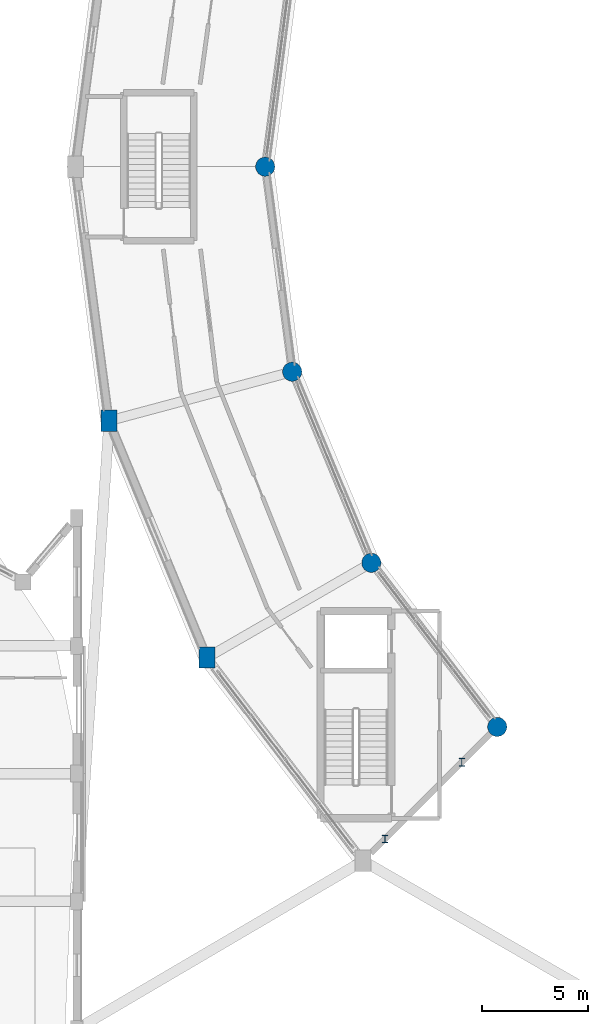
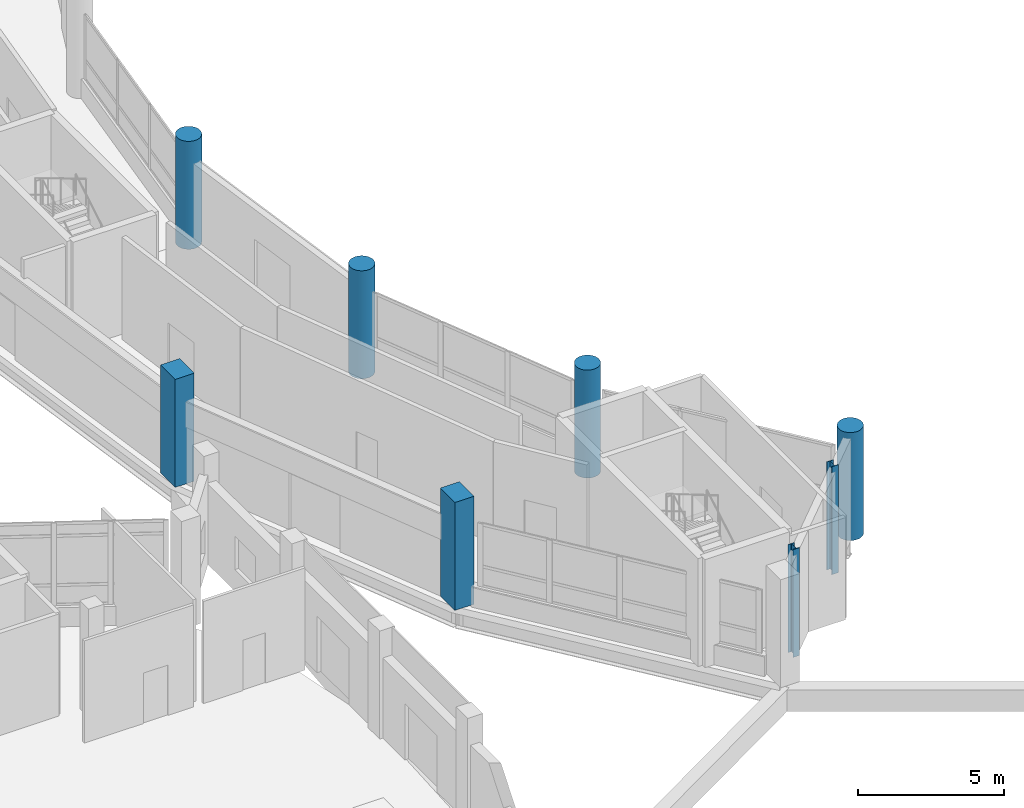
# One storey, part 4 of 129: 8 columns.
"""IFC4 building model written with IfcOpenShell, lengths in metres."""

from ifc_helpers import new_model, si_unit, direction, frame, origin, origin_2d, place, context, subcontext, project, spatial, rectangle, circle, i_section, extrude, material, material_profile, profile_set, type_object, element, save


model = new_model("IFC4")

# Units and contexts
model_context = context("Model", 3, precision=1e-05, world=origin(), true_north=direction((0.0, 1.0)))
body_context = subcontext(model_context, "Body", "Model", "MODEL_VIEW")
ifc_project = project(units=[si_unit("LENGTHUNIT", "METRE"), si_unit("AREAUNIT", "SQUARE_METRE"), si_unit("VOLUMEUNIT", "CUBIC_METRE"), si_unit("PLANEANGLEUNIT", "RADIAN"), si_unit("MASSUNIT", "GRAM", prefix="KILO")], contexts=[model_context])

# Site, building, storey
site_placement = place(None, origin())
site = spatial("IfcSite", under=ifc_project, at=site_placement, CompositionType="ELEMENT")
building_placement = place(site_placement, origin())
building = spatial("IfcBuilding", under=site, at=building_placement, Name="Vespera Passage Community Centre", CompositionType="ELEMENT")
storey_placement = place(building_placement, origin())
storey = spatial("IfcBuildingStorey", under=building, at=storey_placement, Name="L00", CompositionType="ELEMENT", Elevation=0.0)

# Columns
ifc_material_1 = material(Name="Concrete f'c 45 MPa", Category="concrete")
ifc_material_profile_1 = material_profile(ifc_material_1, rectangle(XDim=0.75, YDim=1.0, at=origin_2d()), Name="RC1000X750")
ifc_profile_set_1 = profile_set([ifc_material_profile_1], Name="Concrete f'c 45 MPa")
column_type_1 = type_object("IfcColumnType", Name="COL-RC1000X750E", PredefinedType="COLUMN", material=ifc_profile_set_1)
for number, where, z_axis, x_axis, name in (
    (1, (33.470703125, 53.568359375, 0.0), (0.0, 0.0, 1.0), (1.0, 0.0, 0.0), "L00 Column V4-O13"),
    (2, (38.076171875, 42.449951171875, 0.0), (0.0, 0.0, 1.0), (1.0, 0.0, 0.0), "L00 Column V4-O14"),
):
    element("IfcColumn", number, at=place(storey_placement, frame(where, z_axis=z_axis, x_axis=x_axis)), inside=storey, type_object=column_type_1, Name=name, PredefinedType="COLUMN", context=body_context, shape_type="SweptSolid", body=[
        extrude(rectangle(XDim=0.75, YDim=1.0, at=origin_2d()), origin(), (0.0, 0.0, 1.0), 4.5),
    ])
ifc_material_2 = material(Name="Concrete f'c 45 MPa", Category="concrete")
ifc_material_profile_2 = material_profile(ifc_material_2, circle(Radius=0.449951171875, at=origin_2d()), Name="RC900DIA")
ifc_profile_set_2 = profile_set([ifc_material_profile_2], Name="Concrete f'c 45 MPa")
column_type_2 = type_object("IfcColumnType", Name="COL-RC900DIAE", PredefinedType="COLUMN", material=ifc_profile_set_2)
for number, where, z_axis, x_axis, name in (
    (3, (40.800048828125, 65.5, 0.0), (0.0, 0.0, 1.0), (1.0, 0.0, 0.0), "L00 Column V4-I12"),
    (4, (42.067626953125, 55.871826171875, 0.0), (0.0, 0.0, 1.0), (1.0, 0.0, 0.0), "L00 Column V4-I13"),
    (5, (45.783935546875, 46.89990234375, 0.0), (0.0, 0.0, 1.0), (1.0, 0.0, 0.0), "L00 Column V4-I14"),
    (6, (51.695556640625, 39.195556640625, 0.0), (0.0, 0.0, 1.0), (1.0, 0.0, 0.0), "L00 Column V4-I15"),
):
    element("IfcColumn", number, at=place(storey_placement, frame(where, z_axis=z_axis, x_axis=x_axis)), inside=storey, type_object=column_type_2, Name=name, PredefinedType="COLUMN", context=body_context, shape_type="SweptSolid", body=[
        extrude(circle(Radius=0.449951171875, at=origin_2d()), origin(), (0.0, 0.0, 1.0), 4.5),
    ])
ifc_material_3 = material(Name="Steel ASTM A992 Grade 50", Category="steel")
ifc_material_profile_3 = material_profile(ifc_material_3, i_section(OverallWidth=0.2548828125, OverallDepth=0.356689453125, WebThickness=0.010498046875, FlangeThickness=0.018310546875, FilletRadius=0.01513671875, at=origin_2d()), Name="W14X68")
ifc_profile_set_3 = profile_set([ifc_material_profile_3], Name="Steel ASTM A992 Grade 50")
column_type_3 = type_object("IfcColumnType", Name="COL-W14X68I", PredefinedType="COLUMN", material=ifc_profile_set_3)
for number, where, z_axis, x_axis, name in (
    (7, (50.033935546875, 37.533935546875, 0.0), (0.0, 0.0, 1.0), (1.0, 0.0, 0.0), "L00 Column TRANC-I150"),
    (8, (46.427734375, 33.927734375, 0.0), (0.0, 0.0, 1.0), (1.0, 0.0, 0.0), "L00 Column TRANC-O150"),
):
    element("IfcColumn", number, at=place(storey_placement, frame(where, z_axis=z_axis, x_axis=x_axis)), inside=storey, type_object=column_type_3, Name=name, PredefinedType="COLUMN", context=body_context, shape_type="SweptSolid", body=[
        extrude(i_section(OverallWidth=0.2548828125, OverallDepth=0.356689453125, WebThickness=0.010498046875, FlangeThickness=0.018310546875, FilletRadius=0.01513671875, at=origin_2d()), origin(), (0.0, 0.0, 1.0), 4.5),
    ])

save(model, "model.ifc")
